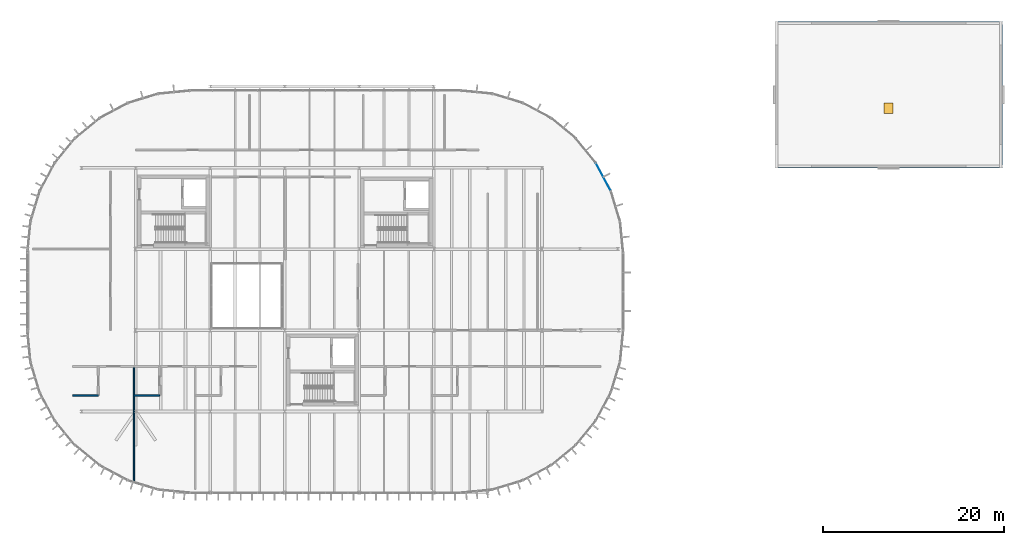
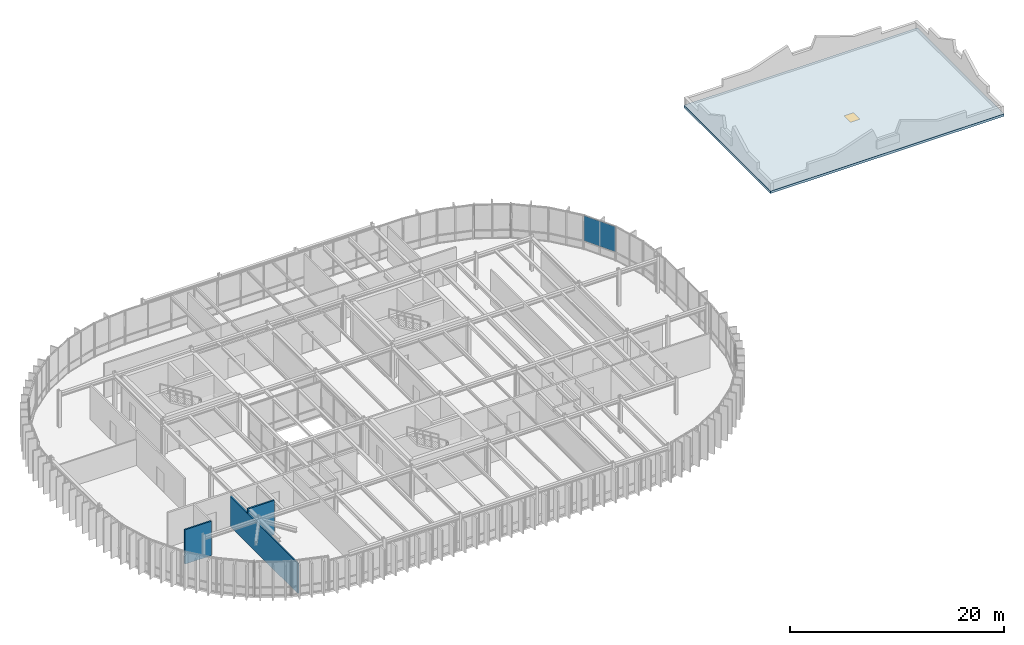
# One storey, part 19 of 27: 3 walls, 1 door, 1 plate, 1 slab, 1 opening, 2 elements without a shape of their own.
"""IFC4 building model written with IfcOpenShell, lengths in metres."""

from ifc_helpers import new_model, si_unit, direction, frame, frame_2d, origin, origin_2d, place, context, subcontext, project, spatial, polyline, rectangle, outline, extrude, material, layer, layer_set, type_object, element, fill, aggregate, save


model = new_model("IFC4")

# Units and contexts
model_context = context("Model", 3, precision=1e-05, world=origin(), true_north=direction((0.0, 1.0)))
body_context = subcontext(model_context, "Body", "Model", "MODEL_VIEW")
ifc_project = project(units=[si_unit("LENGTHUNIT", "METRE"), si_unit("AREAUNIT", "SQUARE_METRE"), si_unit("VOLUMEUNIT", "CUBIC_METRE"), si_unit("PLANEANGLEUNIT", "RADIAN"), si_unit("MASSUNIT", "GRAM", prefix="KILO")], contexts=[model_context])

# Site, building, storey
site_placement = place(None, origin())
site = spatial("IfcSite", under=ifc_project, at=site_placement, CompositionType="ELEMENT")
building_placement = place(site_placement, origin())
building = spatial("IfcBuilding", under=site, at=building_placement, Name="Montealbar Specialist Clinic", CompositionType="ELEMENT")
storey_placement = place(building_placement, frame((0.0, 0.0, 18.0)))
storey = spatial("IfcBuildingStorey", under=building, at=storey_placement, Name="L04", CompositionType="ELEMENT", Elevation=18.0)

# Curtain wall, plate
ifc_material_1 = material(Name="Low-E double glazing", Category="glass")
ifc_layer_1 = layer(ifc_material_1, 0.199951171875, Name="Low-E double glazing", Category="glass")
ifc_layer_set_1 = layer_set([ifc_layer_1], Name="Low-E double glazing")
curtain_wall_type = type_object("IfcCurtainWallType", Name="CW-TYPE-29", PredefinedType="NOTDEFINED", material=ifc_layer_set_1)
curtain_wall_placement = place(storey_placement, origin())
curtain_wall = element("IfcCurtainWall", 1, at=curtain_wall_placement, inside=storey, type_object=curtain_wall_type, Name="Unitised Curtain Wall CW-L04-1170-366-1186-334-180", PredefinedType="NOTDEFINED")
ifc_layer_2 = layer(ifc_material_1, 0.0380859375, Name="Low-E double glazing", Category="glass")
ifc_layer_set_2 = layer_set([ifc_layer_2], Name="Low-E double glazing")
plate_type = type_object("IfcPlateType", Name="CW-PNL-IGU38", PredefinedType="CURTAIN_PANEL", material=ifc_layer_set_2)
plate_placement = place(storey_placement, frame((117.798095703125, 34.993896484375, 0.97998046875), z_axis=(0.0, 0.0, 1.0), x_axis=(0.471529268958, -0.881850411644, 0.0)))
plate = element("IfcPlate", 2, at=plate_placement, type_object=plate_type, Name="Glazed Curtain Panel CW-L04-1170-366-1186-334-180-1-2", PredefinedType="CURTAIN_PANEL", context=body_context, shape_type="SweptSolid", body=[
    extrude(rectangle(XDim=3.445068359375, YDim=0.0380859375, at=origin_2d()), origin(), (0.0, 0.0, 1.0), 2.8701171875),
])
aggregate(curtain_wall, [plate])

# Roof, slab, opening, door
ifc_material_2 = material(Name="Weatherproof roofing membrane", Category="concrete")
roof_type = type_object("IfcRoofType", Name="ROOF-CONT-FLAT", PredefinedType="FLAT_ROOF", material=ifc_material_2)
roof_placement = place(storey_placement, origin())
roof = element("IfcRoof", 3, at=roof_placement, inside=storey, type_object=roof_type, Name="Flat Roof Assembly ROOF-L04-01", PredefinedType="FLAT_ROOF")
ifc_material_3 = material(Name="Concrete C35/45", Category="concrete")
ifc_layer_3 = layer(ifc_material_3, 0.27001953125, Name="Concrete C35/45", Category="concrete")
ifc_layer_set_3 = layer_set([ifc_layer_3], Name="Concrete C35/45")
slab_type = type_object("IfcSlabType", Name="SL-ROOF-220", PredefinedType="ROOF", material=ifc_layer_set_3)
slab_placement = place(storey_placement, frame((0.0, 0.0, -0.27001953125)))
slab = element("IfcSlab", 4, at=slab_placement, type_object=slab_type, Name="Roof Slab ROOF-L04-01", PredefinedType="ROOF", context=body_context, shape_type="SweptSolid", body=[
    extrude(outline(polyline([(162.0, 36.0), (136.800048828125, 36.0), (136.800048828125, 52.199951171875), (162.0, 52.199951171875), (162.0, 36.0)]), holes=[polyline([(149.889892578125, 43.18994140625), (148.909912109375, 43.18994140625), (148.909912109375, 42.010009765625), (149.889892578125, 42.010009765625), (149.889892578125, 43.18994140625)])]), origin(), (0.0, 0.0, 1.0), 0.27001953125),
])
opening_placement = place(slab_placement, frame((149.39990234375, 42.60009765625, -0.010009765625)))
opening = element("IfcOpeningElement", 5, at=opening_placement, cuts=slab, Name="Opening HT-01", PredefinedType="OPENING", context=body_context, shape_type="SweptSolid", body=[
    extrude(rectangle(XDim=1.0, YDim=1.199951171875, at=origin_2d()), origin(), (0.0, 0.0, 1.0), 0.2900390625),
])
ifc_material_4 = material(Name="Powder-coated aluminium", Category="aluminium")
door_type = type_object("IfcDoorType", Name="DR-HATCH-RF01", OperationType="SINGLE_SWING_LEFT", PredefinedType="TRAPDOOR", material=ifc_material_4)
door_placement = place(slab_placement, frame((149.39990234375, 42.60009765625, 0.219970703125)))
door = element("IfcDoor", 6, at=door_placement, inside=storey, type_object=door_type, Name="Roof Maintenance Access Hatch HT-13", OperationType="SINGLE_SWING_LEFT", OverallHeight=1.199951171875, OverallWidth=1.0, PredefinedType="TRAPDOOR", context=body_context, shape_type="SweptSolid", body=[
    extrude(rectangle(XDim=1.0, YDim=1.199951171875, at=origin_2d()), origin(), (0.0, 0.0, 1.0), 0.050048828125),
])
fill(opening, door)
aggregate(roof, [slab])

# Walls
ifc_material_5 = material(Name="Gypsum acoustic partition", Category="gypsum")
ifc_layer_4 = layer(ifc_material_5, 0.139892578125, Name="Gypsum acoustic partition", Category="gypsum")
ifc_layer_set_4 = layer_set([ifc_layer_4], Name="Gypsum acoustic partition")
wall_type_1 = type_object("IfcWallType", Name="WL-PART-ACOUSTIC-140", PredefinedType="PARTITIONING", material=ifc_layer_set_4)
wall_1_placement = place(storey_placement, frame((65.800048828125, 1.30810546875, 0.0), z_axis=(0.0, 0.0, 1.0), x_axis=(0.0, 1.0, 0.0)))
element("IfcWall", 7, at=wall_1_placement, inside=storey, type_object=wall_type_1, Name="Clinical Partition PART-L04-0195", PredefinedType="PARTITIONING", context=body_context, shape_type="SweptSolid", body=[
    extrude(rectangle(XDim=12.69189453125, YDim=0.139892578125, at=frame_2d((6.345947265625, 0.0))), origin(), (0.0, 0.0, 1.0), 3.43798828125),
])
ifc_material_6 = material(Name="Ceramic-lined wet partition", Category="brick")
ifc_layer_5 = layer(ifc_material_6, 0.179931640625, Name="Ceramic-lined wet partition", Category="brick")
ifc_layer_set_5 = layer_set([ifc_layer_5], Name="Ceramic-lined wet partition")
wall_type_2 = type_object("IfcWallType", Name="WL-PART-WET-180", PredefinedType="PARTITIONING", material=ifc_layer_set_5)
wall_2_placement = place(storey_placement, frame((59.0, 10.800048828125, 0.0), z_axis=(0.0, 0.0, 1.0), x_axis=(1.0, 0.0, 0.0)))
element("IfcWall", 8, at=wall_2_placement, inside=storey, type_object=wall_type_2, Name="Clinical Partition PART-L04-0194", PredefinedType="PARTITIONING", context=body_context, shape_type="SweptSolid", body=[
    extrude(rectangle(XDim=2.85009765625, YDim=0.179931640625, at=frame_2d((1.425048828125, 0.0))), origin(), (0.0, 0.0, 1.0), 3.919921875),
])
wall_3_placement = place(storey_placement, frame((65.800048828125, 10.800048828125, 0.0), z_axis=(0.0, 0.0, 1.0), x_axis=(1.0, 0.0, 0.0)))
element("IfcWall", 9, at=wall_3_placement, inside=storey, type_object=wall_type_2, Name="Clinical Partition PART-L04-0198", PredefinedType="PARTITIONING", context=body_context, shape_type="SweptSolid", body=[
    extrude(rectangle(XDim=2.849853515625, YDim=0.179931640625, at=frame_2d((1.4248046875, 0.0))), origin(), (0.0, 0.0, 1.0), 3.919921875),
])

save(model, "model.ifc")
